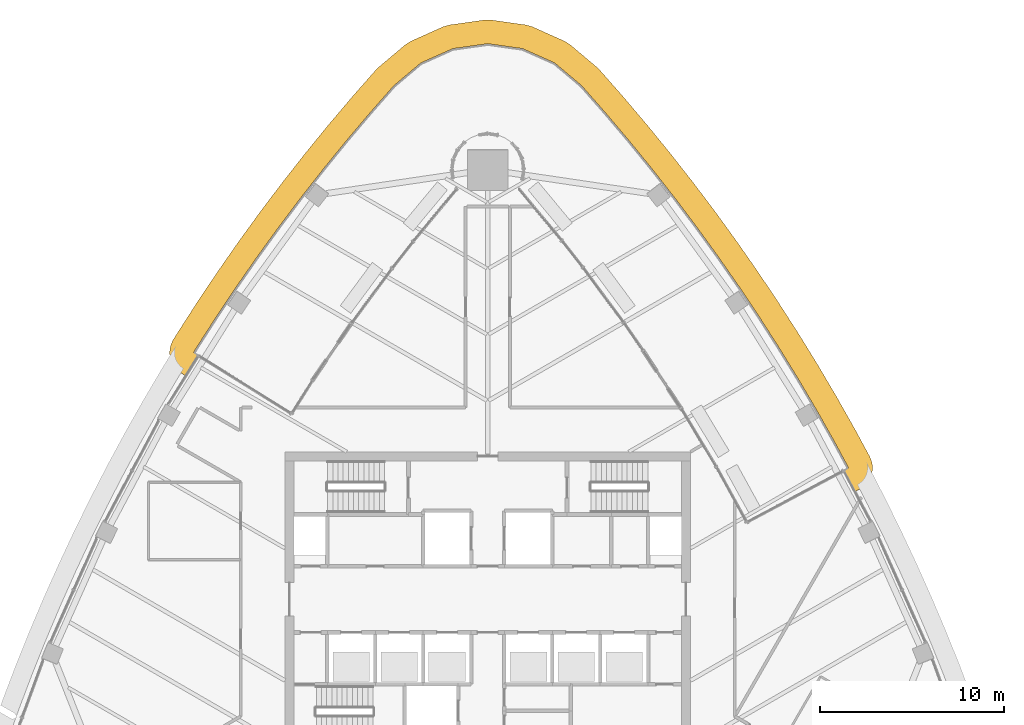
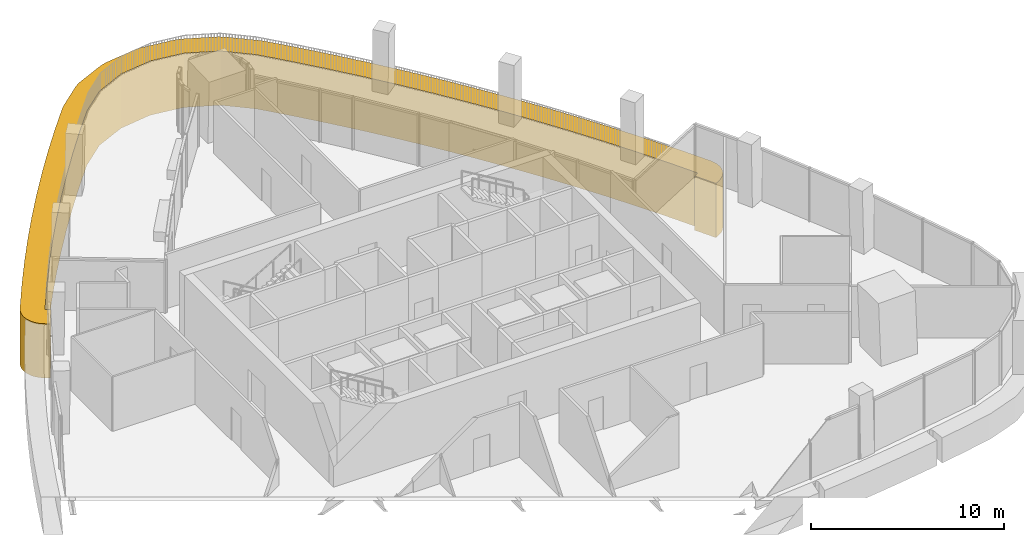
# One storey, part 17 of 18: 1 covering.
"""IFC4 building model written with IfcOpenShell, lengths in metres."""

from ifc_helpers import new_model, si_unit, direction, frame, origin, place, context, subcontext, project, spatial, polyline, outline, extrude, material, layer, layer_set, type_object, element, save


model = new_model("IFC4")

# Units and contexts
model_context = context("Model", 3, precision=1e-05, world=origin(), true_north=direction((0.0, 1.0)))
body_context = subcontext(model_context, "Body", "Model", "MODEL_VIEW")
ifc_project = project(units=[si_unit("LENGTHUNIT", "METRE"), si_unit("AREAUNIT", "SQUARE_METRE"), si_unit("VOLUMEUNIT", "CUBIC_METRE"), si_unit("PLANEANGLEUNIT", "RADIAN"), si_unit("MASSUNIT", "GRAM", prefix="KILO")], contexts=[model_context])

# Site, building, storey
site_placement = place(None, origin())
site = spatial("IfcSite", under=ifc_project, at=site_placement, CompositionType="ELEMENT")
building_placement = place(site_placement, origin())
building = spatial("IfcBuilding", under=site, at=building_placement, Name="Sierra Prisma Convention Tower", CompositionType="ELEMENT")
storey_placement = place(building_placement, frame((0.0, 0.0, 307.0)))
storey = spatial("IfcBuildingStorey", under=building, at=storey_placement, Name="L70", CompositionType="ELEMENT", Elevation=307.0)

# Covering
ifc_material = material(Name="Aluminium composite bronze anodised", Category="aluminium")
ifc_layer = layer(ifc_material, 1.300048828125)
ifc_layer_set = layer_set([ifc_layer], Name="Terrace fascia")
covering_type = type_object("IfcCoveringType", Name="Terrace fascia", PredefinedType="CLADDING", material=ifc_layer_set)
covering_placement = place(storey_placement, frame((0.0, 0.0, -3.39990234375)))
element("IfcCovering", 1, at=covering_placement, inside=storey, type_object=covering_type, Name="Terrace fascia L70.1", PredefinedType="CLADDING", context=body_context, shape_type="SweptSolid", body=[
    extrude(outline(polyline([(-16.642822265625, 12.281494140625), (-16.843994140625, 12.436279296875), (-17.011474609375, 12.627197265625), (-17.138427734375, 12.84716796875), (-17.22021484375, 13.08740234375), (-17.25390625, 13.339111328125), (-17.238037109375, 13.59228515625), (-17.173095703125, 13.837890625), (-17.061767578125, 14.06591796875), (-16.885009765625, 14.353271484375), (-16.871826171875, 14.3740234375), (-15.804443359375, 16.036865234375), (-15.791015625, 16.057373046875), (-14.692626953125, 17.699951171875), (-14.6787109375, 17.72021484375), (-13.549560546875, 19.341796875), (-13.535400390625, 19.36181640625), (-12.3759765625, 20.961669921875), (-12.361328125, 20.9814453125), (-11.172119140625, 22.559326171875), (-11.156982421875, 22.57861328125), (-9.938232421875, 24.134033203125), (-9.9228515625, 24.153076171875), (-8.675048828125, 25.685302734375), (-8.659423828125, 25.7041015625), (-7.3828125, 27.21240234375), (-7.366943359375, 27.23095703125), (-6.062255859375, 28.71484375), (-5.923583984375, 28.8505859375), (-4.4658203125, 30.0791015625), (-4.158203125, 30.27197265625), (-2.417724609375, 31.04931640625), (-2.069091796875, 31.149658203125), (-0.181396484375, 31.415771484375), (0.181396484375, 31.415771484375), (2.069091796875, 31.149658203125), (2.417724609375, 31.04931640625), (4.158203125, 30.27197265625), (4.4658203125, 30.0791015625), (5.923583984375, 28.8505859375), (6.062255859375, 28.71484375), (7.366943359375, 27.23095703125), (7.3828125, 27.21240234375), (8.659423828125, 25.7041015625), (8.675048828125, 25.685302734375), (9.9228515625, 24.153076171875), (9.938232421875, 24.134033203125), (11.156982421875, 22.57861328125), (11.172119140625, 22.559326171875), (12.361328125, 20.9814453125), (12.3759765625, 20.961669921875), (13.535400390625, 19.36181640625), (13.549560546875, 19.341796875), (14.6787109375, 17.72021484375), (14.692626953125, 17.699951171875), (15.791015625, 16.057373046875), (15.804443359375, 16.036865234375), (16.871826171875, 14.3740234375), (16.885009765625, 14.353271484375), (17.9208984375, 12.670654296875), (17.93359375, 12.649658203125), (18.9375, 10.94775390625), (18.94970703125, 10.926513671875), (19.921630859375, 9.2060546875), (19.933349609375, 9.1845703125), (20.71240234375, 7.742919921875), (20.811279296875, 7.5068359375), (20.862060546875, 7.256103515625), (20.86279296875, 7.00048828125), (20.813232421875, 6.74951171875), (20.7158203125, 6.512939453125), (20.57373046875, 6.30029296875), (20.392578125, 6.119384765625), (20.179931640625, 5.9775390625), (19.913330078125, 5.83544921875), (19.29541015625, 6.979248046875), (19.568603515625, 7.125), (18.789794921875, 8.566650390625), (17.81787109375, 10.287109375), (16.813720703125, 11.989013671875), (15.77783203125, 13.671875), (14.71044921875, 15.334716796875), (13.612060546875, 16.977294921875), (12.48291015625, 18.598876953125), (11.3232421875, 20.198974609375), (10.1337890625, 21.77685546875), (8.9150390625, 23.33203125), (7.6669921875, 24.8642578125), (6.390380859375, 26.37255859375), (5.085693359375, 27.856689453125), (3.628173828125, 29.0849609375), (1.8876953125, 29.8623046875), (0.0, 30.12841796875), (-1.8876953125, 29.8623046875), (-3.628173828125, 29.0849609375), (-5.085693359375, 27.856689453125), (-6.390380859375, 26.37255859375), (-7.6669921875, 24.8642578125), (-8.9150390625, 23.33203125), (-10.1337890625, 21.77685546875), (-11.3232421875, 20.198974609375), (-12.48291015625, 18.598876953125), (-13.612060546875, 16.977294921875), (-14.71044921875, 15.334716796875), (-15.77783203125, 13.671875), (-15.95458984375, 13.384521484375), (-15.69189453125, 13.220703125), (-16.37353515625, 12.113525390625), (-16.642822265625, 12.281494140625)])), origin(), (0.0, 0.0, 1.0), 3.43994140625),
])

save(model, "model.ifc")
